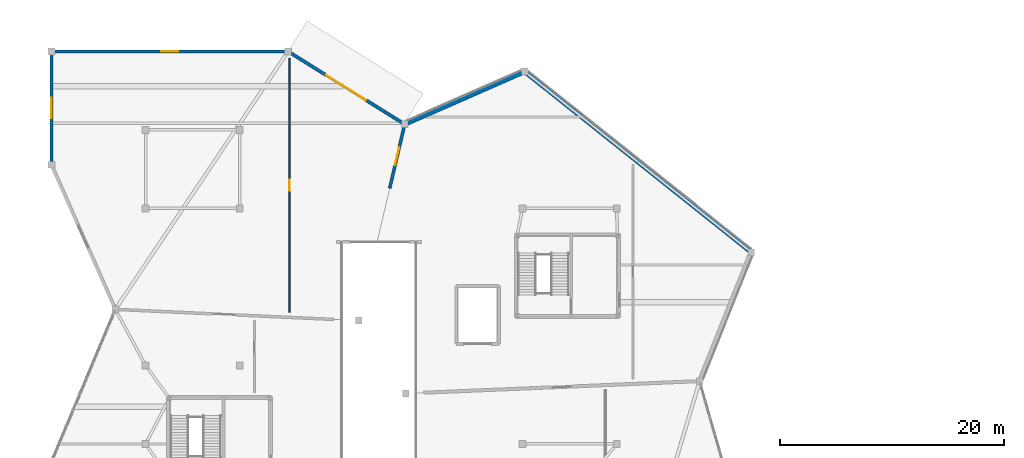
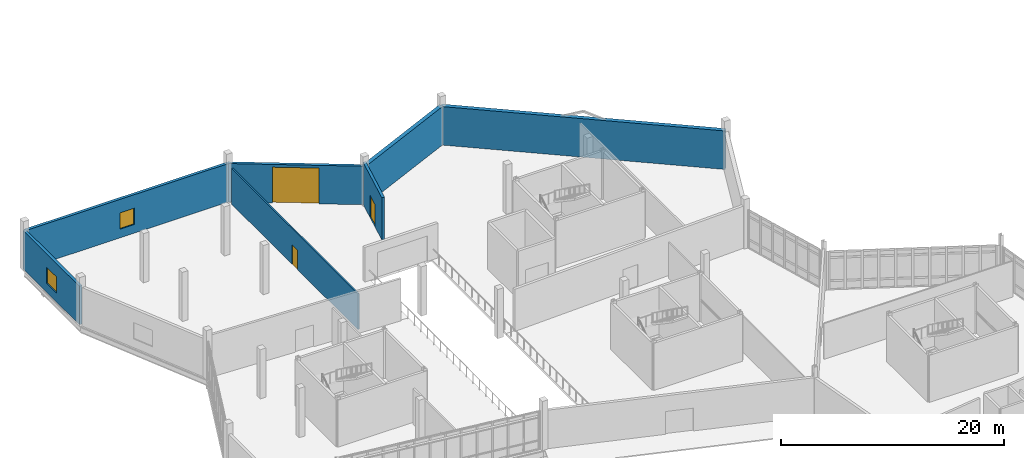
# One storey, part 94 of 113: 7 walls, 3 doors, 2 windows, 5 openings.
"""IFC4 building model written with IfcOpenShell, lengths in metres."""

from ifc_helpers import new_model, si_unit, direction, frame, frame_2d, origin, place, context, subcontext, project, spatial, rectangle, extrude, material, layer, layer_set, type_object, element, fill, save


model = new_model("IFC4")

# Units and contexts
model_context = context("Model", 3, precision=1e-05, world=origin(), true_north=direction((0.0, 1.0)))
body_context = subcontext(model_context, "Body", "Model", "MODEL_VIEW")
ifc_project = project(units=[si_unit("LENGTHUNIT", "METRE"), si_unit("AREAUNIT", "SQUARE_METRE"), si_unit("VOLUMEUNIT", "CUBIC_METRE"), si_unit("PLANEANGLEUNIT", "RADIAN"), si_unit("MASSUNIT", "GRAM", prefix="KILO")], contexts=[model_context])

# Site, building, storey
site_placement = place(None, origin())
site = spatial("IfcSite", under=ifc_project, at=site_placement, CompositionType="ELEMENT")
building_placement = place(site_placement, origin())
building = spatial("IfcBuilding", under=site, at=building_placement, Name="Tameran Prism Museum", CompositionType="ELEMENT")
storey_placement = place(building_placement, origin())
storey = spatial("IfcBuildingStorey", under=building, at=storey_placement, Name="L00", CompositionType="ELEMENT", Elevation=0.0)

# Walls
ifc_material_1 = material(Name="Precast Concrete N50 (50 MPa)", Category="concrete")
ifc_layer_1 = layer(ifc_material_1, 0.39990234375)
ifc_layer_set_1 = layer_set([ifc_layer_1])
wall_type_1 = type_object("IfcWallType", Name="EW-ARC-400", PredefinedType="SOLIDWALL", material=ifc_layer_set_1)
wall_1_placement = place(storey_placement, frame((42.199951171875, 110.199951171875, 0.0), z_axis=(0.0, 0.0, 1.0), x_axis=(0.78200261515, -0.623275147827, 0.0)))
element("IfcWall", 1, at=wall_1_placement, inside=storey, type_object=wall_type_1, Name="Exterior Fluted Precast Wall EW-0147", PredefinedType="SOLIDWALL", context=body_context, shape_type="SweptSolid", body=[
    extrude(rectangle(XDim=25.8310546875, YDim=0.39990234375, at=frame_2d((12.91552734375, 0.0))), origin(), (0.0, 0.0, 1.0), 4.219970703125),
])
wall_2_placement = place(storey_placement, frame((31.554931640625, 105.52392578125, 0.0), z_axis=(0.0, 0.0, 1.0), x_axis=(0.915561631163, 0.402177696474, 0.0)))
element("IfcWall", 2, at=wall_2_placement, inside=storey, type_object=wall_type_1, Name="Exterior Fluted Precast Wall EW-0148", PredefinedType="SOLIDWALL", context=body_context, shape_type="SweptSolid", body=[
    extrude(rectangle(XDim=11.626708984375, YDim=0.39990234375, at=frame_2d((5.8134765625, 0.0))), origin(), (0.0, 0.0, 1.0), 4.219970703125),
])

# Wall, opening, door
ifc_material_2 = material(Name="Precast Concrete N40 (40 MPa)", Category="concrete")
ifc_layer_2 = layer(ifc_material_2, 0.2900390625)
ifc_layer_set_2 = layer_set([ifc_layer_2])
wall_type_2 = type_object("IfcWallType", Name="EW-FOY-290", PredefinedType="SOLIDWALL", material=ifc_layer_set_2)
wall_3_placement = place(storey_placement, frame((21.10009765625, 112.0, 0.0), z_axis=(0.0, 0.0, 1.0), x_axis=(0.84799942789, -0.529997141784, 0.0)))
wall_3 = element("IfcWall", 3, at=wall_3_placement, inside=storey, type_object=wall_type_2, Name="Exterior Fluted Precast Wall EW-0154", PredefinedType="SOLIDWALL", context=body_context, shape_type="SweptSolid", body=[
    extrude(rectangle(XDim=12.203857421875, YDim=0.2900390625, at=frame_2d((6.10205078125, 0.0))), origin(), (0.0, 0.0, 1.0), 4.219970703125),
])
opening_1_placement = place(wall_3_placement, frame((4.001953125, 0.0, 0.0)))
opening_1 = element("IfcOpeningElement", 4, at=opening_1_placement, cuts=wall_3, Name="Opening GD-01", PredefinedType="OPENING", context=body_context, shape_type="SweptSolid", body=[
    extrude(rectangle(XDim=4.199951171875, YDim=3.919921875, at=frame_2d((2.10009765625, 1.9599609375))), frame((0.0, 0.155029296875, 0.0), z_axis=(0.0, -1.0, 0.0), x_axis=(1.0, 0.0, 0.0)), (0.0, 0.0, 1.0), 0.31005859375),
])
ifc_material_3 = material(Name="Cyclone-Rated Anodised Aluminium 6063-T6 and Laminated Glass", Category="aluminium")
door_type_1 = type_object("IfcDoorType", Name="DR-GAT-DOCK", OperationType="ROLLINGUP", PredefinedType="GATE", material=ifc_material_3)
door_1_placement = place(opening_1_placement, origin())
door_1 = element("IfcDoor", 5, at=door_1_placement, inside=storey, type_object=door_type_1, Name="Loading Dock Roller Shutter Gate", OperationType="ROLLINGUP", OverallHeight=3.919921875, OverallWidth=4.199951171875, PredefinedType="GATE", context=body_context, shape_type="SweptSolid", body=[
    extrude(rectangle(XDim=4.199951171875, YDim=3.919921875, at=frame_2d((2.10009765625, 1.9599609375))), frame((0.0, 0.02490234375, 0.0), z_axis=(0.0, -1.0, 0.0), x_axis=(1.0, 0.0, 0.0)), (0.0, 0.0, 1.0), 0.050048828125),
])
fill(opening_1, door_1)

# Wall, opening, window
wall_4_placement = place(storey_placement, frame((0.0, 112.0, 0.0), z_axis=(0.0, 0.0, 1.0), x_axis=(1.0, 0.0, 0.0)))
wall_4 = element("IfcWall", 6, at=wall_4_placement, inside=storey, type_object=wall_type_2, Name="Exterior Fluted Precast Wall EW-0155", PredefinedType="SOLIDWALL", context=body_context, shape_type="SweptSolid", body=[
    extrude(rectangle(XDim=21.10009765625, YDim=0.2900390625, at=frame_2d((10.550048828125, 0.0))), origin(), (0.0, 0.0, 1.0), 4.219970703125),
])
opening_2_placement = place(wall_4_placement, frame((9.800048828125, 0.0, 0.949951171875)))
opening_2 = element("IfcOpeningElement", 7, at=opening_2_placement, cuts=wall_4, Name="Opening W-002", PredefinedType="OPENING", context=body_context, shape_type="SweptSolid", body=[
    extrude(rectangle(XDim=1.5, YDim=1.800048828125, at=frame_2d((0.75, 0.89990234375))), frame((0.0, 0.155029296875, 0.0), z_axis=(0.0, -1.0, 0.0), x_axis=(1.0, 0.0, 0.0)), (0.0, 0.0, 1.0), 0.31005859375),
])
ifc_material_4 = material(Name="Cyclone Laminated Low-E Glass in 6063-T6 Frame", Category="glass")
window_type_1 = type_object("IfcWindowType", Name="WIN-W02", PartitioningType="SINGLE_PANEL", PredefinedType="WINDOW", material=ifc_material_4)
window_1_placement = place(opening_2_placement, origin())
window_1 = element("IfcWindow", 8, at=window_1_placement, inside=storey, type_object=window_type_1, Name="Solar-Shaded Window W-002", OverallHeight=1.800048828125, OverallWidth=1.5, PartitioningType="SINGLE_PANEL", PredefinedType="WINDOW", context=body_context, shape_type="SweptSolid", body=[
    extrude(rectangle(XDim=1.5, YDim=1.800048828125, at=frame_2d((0.75, 0.89990234375))), frame((0.0, 0.030029296875, 0.0), z_axis=(0.0, -1.0, 0.0), x_axis=(1.0, 0.0, 0.0)), (0.0, 0.0, 1.0), 0.06005859375),
])
fill(opening_2, window_1)

wall_5_placement = place(storey_placement, frame((0.0, 101.89990234375, 0.0), z_axis=(0.0, 0.0, 1.0), x_axis=(0.0, 1.0, 0.0)))
wall_5 = element("IfcWall", 9, at=wall_5_placement, inside=storey, type_object=wall_type_2, Name="Exterior Fluted Precast Wall EW-0156", PredefinedType="SOLIDWALL", context=body_context, shape_type="SweptSolid", body=[
    extrude(rectangle(XDim=10.10009765625, YDim=0.2900390625, at=frame_2d((5.050048828125, 0.0))), origin(), (0.0, 0.0, 1.0), 4.219970703125),
])
opening_3_placement = place(wall_5_placement, frame((4.14990234375, 0.0, 0.949951171875)))
opening_3 = element("IfcOpeningElement", 10, at=opening_3_placement, cuts=wall_5, Name="Opening W-003", PredefinedType="OPENING", context=body_context, shape_type="SweptSolid", body=[
    extrude(rectangle(XDim=1.800048828125, YDim=1.800048828125, at=frame_2d((0.89990234375, 0.89990234375))), frame((0.0, 0.155029296875, 0.0), z_axis=(0.0, -1.0, 0.0), x_axis=(1.0, 0.0, 0.0)), (0.0, 0.0, 1.0), 0.31005859375),
])
ifc_material_5 = material(Name="Cyclone Laminated Low-E Glass in 6063-T6 Frame", Category="glass")
window_type_2 = type_object("IfcWindowType", Name="WIN-W03", PartitioningType="SINGLE_PANEL", PredefinedType="WINDOW", material=ifc_material_5)
window_2_placement = place(opening_3_placement, origin())
window_2 = element("IfcWindow", 11, at=window_2_placement, inside=storey, type_object=window_type_2, Name="Solar-Shaded Window W-003", OverallHeight=1.800048828125, OverallWidth=1.800048828125, PartitioningType="SINGLE_PANEL", PredefinedType="WINDOW", context=body_context, shape_type="SweptSolid", body=[
    extrude(rectangle(XDim=1.800048828125, YDim=1.800048828125, at=frame_2d((0.89990234375, 0.89990234375))), frame((0.0, 0.030029296875, 0.0), z_axis=(0.0, -1.0, 0.0), x_axis=(1.0, 0.0, 0.0)), (0.0, 0.0, 1.0), 0.06005859375),
])
fill(opening_3, window_2)

# Wall, opening, door
ifc_material_6 = material(Name="Concrete N40 (40 MPa)", Category="concrete")
ifc_layer_3 = layer(ifc_material_6, 0.27490234375)
ifc_layer_set_3 = layer_set([ifc_layer_3])
wall_type_3 = type_object("IfcWallType", Name="IW-CMP-275", PredefinedType="SOLIDWALL", material=ifc_layer_set_3)
wall_6_placement = place(storey_placement, frame((31.5, 105.5, 0.0), z_axis=(0.0, 0.0, 1.0), x_axis=(-0.228035044918, -0.973652924963, 0.0)))
wall_6 = element("IfcWall", 12, at=wall_6_placement, inside=storey, type_object=wall_type_3, Name="Compartment Wall IW-0047", PredefinedType="SOLIDWALL", context=body_context, shape_type="SweptSolid", body=[
    extrude(rectangle(XDim=5.854248046875, YDim=0.27490234375, at=frame_2d((2.92724609375, 0.0))), origin(), (0.0, 0.0, 1.0), 4.6201171875),
])
opening_4_placement = place(wall_6_placement, frame((2.126953125, 0.0, 0.0)))
opening_4 = element("IfcOpeningElement", 13, at=opening_4_placement, cuts=wall_6, Name="Opening ID-0046", PredefinedType="OPENING", context=body_context, shape_type="SweptSolid", body=[
    extrude(rectangle(XDim=1.60009765625, YDim=2.449951171875, at=frame_2d((0.800048828125, 1.22509765625))), frame((0.0, 0.1474609375, 0.0), z_axis=(0.0, -1.0, 0.0), x_axis=(1.0, 0.0, 0.0)), (0.0, 0.0, 1.0), 0.294921875),
])
ifc_material_7 = material(Name="Fire-Rated Steel Door Leaf and Frame", Category="steel")
door_type_2 = type_object("IfcDoorType", Name="DR-FD-240", OperationType="DOUBLE_DOOR_SINGLE_SWING", PredefinedType="DOOR", material=ifc_material_7)
door_2_placement = place(opening_4_placement, origin())
door_2 = element("IfcDoor", 14, at=door_2_placement, inside=storey, type_object=door_type_2, Name="Compartment Door ID-0046", OperationType="DOUBLE_DOOR_SINGLE_SWING", OverallHeight=2.449951171875, OverallWidth=1.60009765625, PredefinedType="DOOR", context=body_context, shape_type="SweptSolid", body=[
    extrude(rectangle(XDim=1.60009765625, YDim=2.449951171875, at=frame_2d((0.800048828125, 1.22509765625))), frame((0.0, 0.02490234375, 0.0), z_axis=(0.0, -1.0, 0.0), x_axis=(1.0, 0.0, 0.0)), (0.0, 0.0, 1.0), 0.050048828125),
])
fill(opening_4, door_2)

ifc_material_8 = material(Name="Laboratory Moisture-Resistant Partition")
ifc_layer_4 = layer(ifc_material_8, 0.14990234375)
ifc_layer_set_4 = layer_set([ifc_layer_4])
wall_type_4 = type_object("IfcWallType", Name="IW-PRT-150", PredefinedType="PARTITIONING", material=ifc_layer_set_4)
wall_7_placement = place(storey_placement, frame((21.216064453125, 88.735107421875, 0.0), z_axis=(0.0, 0.0, 1.0), x_axis=(0.0, 1.0, 0.0)))
wall_7 = element("IfcWall", 15, at=wall_7_placement, inside=storey, type_object=wall_type_4, Name="Internal Partition PT-0075", PredefinedType="PARTITIONING", context=body_context, shape_type="SweptSolid", body=[
    extrude(rectangle(XDim=22.661865234375, YDim=0.14990234375, at=frame_2d((11.3310546875, 0.0))), origin(), (0.0, 0.0, 1.0), 3.919921875),
])
opening_5_placement = place(wall_7_placement, frame((10.8310546875, 0.0, 0.0)))
opening_5 = element("IfcOpeningElement", 16, at=opening_5_placement, cuts=wall_7, Name="Opening ID-0074", PredefinedType="OPENING", context=body_context, shape_type="SweptSolid", body=[
    extrude(rectangle(XDim=1.0, YDim=2.14990234375, at=frame_2d((0.5, 1.074951171875))), frame((0.0, 0.0849609375, 0.0), z_axis=(0.0, -1.0, 0.0), x_axis=(1.0, 0.0, 0.0)), (0.0, 0.0, 1.0), 0.169921875),
])
ifc_material_9 = material(Name="Acoustic Solid-Core Timber Door", Category="wood")
door_type_3 = type_object("IfcDoorType", Name="DR-INT-100", OperationType="NOTDEFINED", PredefinedType="DOOR", material=ifc_material_9)
door_3_placement = place(opening_5_placement, origin())
door_3 = element("IfcDoor", 17, at=door_3_placement, inside=storey, type_object=door_type_3, Name="Interior Room Door ID-0074", OperationType="SINGLE_SWING_LEFT", OverallHeight=2.14990234375, OverallWidth=1.0, PredefinedType="DOOR", context=body_context, shape_type="SweptSolid", body=[
    extrude(rectangle(XDim=1.0, YDim=2.14990234375, at=frame_2d((0.5, 1.074951171875))), frame((0.0, 0.02490234375, 0.0), z_axis=(0.0, -1.0, 0.0), x_axis=(1.0, 0.0, 0.0)), (0.0, 0.0, 1.0), 0.050048828125),
])
fill(opening_5, door_3)

save(model, "model.ifc")
